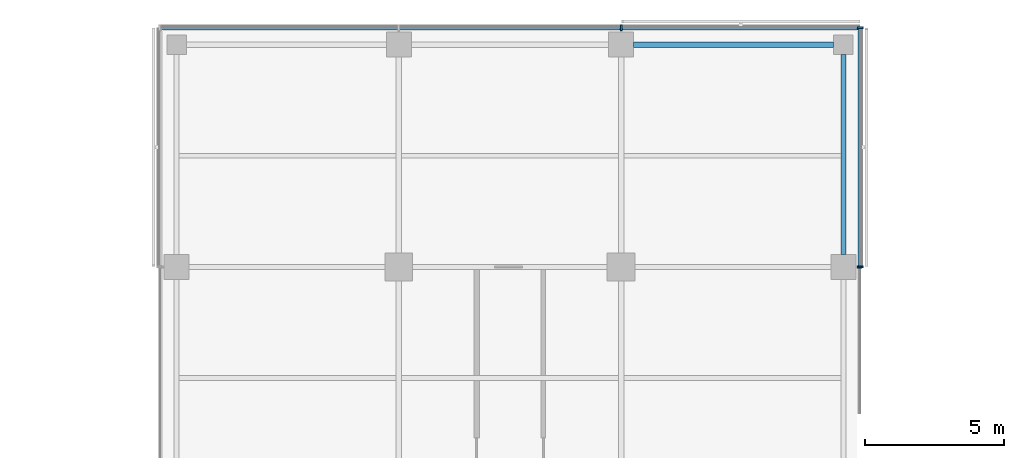
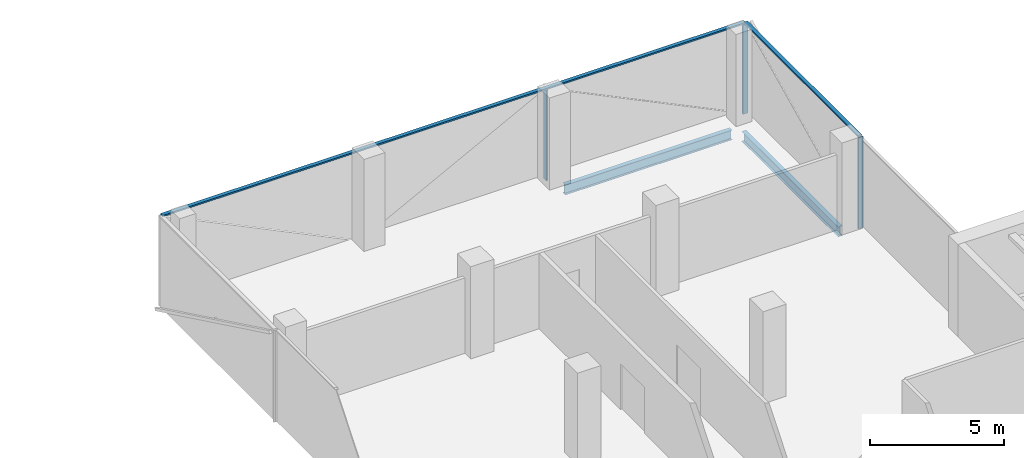
# One storey, part 10 of 22: 6 members, 2 beams, 3 elements without a shape of their own.
"""IFC4 building model written with IfcOpenShell, lengths in metres."""

from ifc_helpers import new_model, si_unit, direction, frame, origin, origin_2d, place, context, subcontext, project, spatial, rectangle, i_section, extrude, material, material_profile, profile_set, type_object, element, aggregate, save


model = new_model("IFC4")

# Units and contexts
model_context = context("Model", 3, precision=1e-05, world=origin(), true_north=direction((0.0, 1.0)))
body_context = subcontext(model_context, "Body", "Model", "MODEL_VIEW")
ifc_project = project(units=[si_unit("LENGTHUNIT", "METRE"), si_unit("AREAUNIT", "SQUARE_METRE"), si_unit("VOLUMEUNIT", "CUBIC_METRE"), si_unit("PLANEANGLEUNIT", "RADIAN"), si_unit("MASSUNIT", "GRAM", prefix="KILO")], contexts=[model_context])

# Site, building, storey
site_placement = place(None, origin())
site = spatial("IfcSite", under=ifc_project, at=site_placement, CompositionType="ELEMENT")
building_placement = place(site_placement, origin())
building = spatial("IfcBuilding", under=site, at=building_placement, Name="Crosswind Convention Tower", CompositionType="ELEMENT")
storey_placement = place(building_placement, frame((0.0, 0.0, 125.300048828125)))
storey = spatial("IfcBuildingStorey", under=building, at=storey_placement, Name="L25", CompositionType="ELEMENT", Elevation=125.300048828125)

# Beams
ifc_material_1 = material(Name="Steel S355", Category="steel")
ifc_material_profile_1 = material_profile(ifc_material_1, i_section(OverallWidth=0.18994140625, OverallDepth=0.45361328125, WebThickness=0.008544921875, FlangeThickness=0.0126953125, FilletRadius=0.01025390625, at=origin_2d()), Name="UB 457x191x67")
ifc_profile_set_1 = profile_set([ifc_material_profile_1], Name="Steel S355")
beam_type = type_object("IfcBeamType", Name="Edge beam UB 457x191x67", PredefinedType="SPANDREL", material=ifc_profile_set_1)
for number, where, z_axis, x_axis, name in (
    (1, (129.449951171875, 128.0, -0.52685546875), (1.0, 0.0, 0.0), (0.0, 1.0, 0.0), "B16 L25 edge beam 15"),
    (2, (137.0, 120.449951171875, -0.52685546875), (0.0, 1.0, 0.0), (-1.0, 0.0, 0.0), "B16 L25 edge beam 19"),
):
    element("IfcBeam", number, at=place(storey_placement, frame(where, z_axis=z_axis, x_axis=x_axis)), inside=storey, type_object=beam_type, Name=name, PredefinedType="SPANDREL", context=body_context, shape_type="SweptSolid", body=[
        extrude(i_section(OverallWidth=0.18994140625, OverallDepth=0.45361328125, WebThickness=0.008544921875, FlangeThickness=0.0126953125, FilletRadius=0.01025390625, at=origin_2d()), origin(), (0.0, 0.0, 1.0), 7.199951171875),
    ])

# Curtain wall, member
ifc_material_2 = material(Name="Aluminium unitised curtain wall", Category="aluminium")
curtain_wall_type_1 = type_object("IfcCurtainWallType", Name="CORE END SLOT WALL 160", PredefinedType="USERDEFINED", material=ifc_material_2)
curtain_wall_1_placement = place(storey_placement, origin())
curtain_wall_1 = element("IfcCurtainWall", 3, at=curtain_wall_1_placement, inside=storey, type_object=curtain_wall_type_1, Name="CW6 L25 N-E.1-1 slot", ObjectType="UNITISED", PredefinedType="USERDEFINED")
ifc_material_3 = material(Name="Aluminium mullion", Category="aluminium")
ifc_material_profile_2 = material_profile(ifc_material_3, rectangle(XDim=0.159912109375, YDim=0.050048828125, at=origin_2d()), Name="AL 160X50")
ifc_profile_set_2 = profile_set([ifc_material_profile_2], Name="Aluminium mullion")
member_type_1 = type_object("IfcMemberType", Name="MULLION 50X160", PredefinedType="MULLION", material=ifc_profile_set_2)
member_1_placement = place(storey_placement, frame((137.580078125, 119.97509765625, -0.300048828125), z_axis=(0.0, 0.0, 1.0), x_axis=(1.0, 0.0, 0.0)))
member_1 = element("IfcMember", 4, at=member_1_placement, type_object=member_type_1, Name="CW6 mullion 2", PredefinedType="MULLION", context=body_context, shape_type="SweptSolid", body=[
    extrude(rectangle(XDim=0.159912109375, YDim=0.050048828125, at=origin_2d()), origin(), (0.0, 0.0, 1.0), 4.14990234375),
])
aggregate(curtain_wall_1, [member_1])

# Curtain wall, members
curtain_wall_type_2 = type_object("IfcCurtainWallType", Name="OFFICE UNITISED WALL 220", PredefinedType="USERDEFINED", material=ifc_material_2)
curtain_wall_2_placement = place(storey_placement, origin())
curtain_wall_2 = element("IfcCurtainWall", 5, at=curtain_wall_2_placement, inside=storey, type_object=curtain_wall_type_2, Name="CW3 L25 N-E 1", ObjectType="UNITISED", PredefinedType="USERDEFINED")
ifc_material_profile_3 = material_profile(ifc_material_3, rectangle(XDim=0.219970703125, YDim=0.070068359375, at=origin_2d()), Name="AL 220X70")
ifc_profile_set_3 = profile_set([ifc_material_profile_3], Name="Aluminium mullion")
member_type_2 = type_object("IfcMemberType", Name="MULLION 70X220", PredefinedType="MULLION", material=ifc_profile_set_3)
member_2_placement = place(storey_placement, frame((137.610107421875, 120.0, -0.300048828125), z_axis=(0.0, 0.0, 1.0), x_axis=(1.0, 0.0, 0.0)))
member_2 = element("IfcMember", 6, at=member_2_placement, type_object=member_type_2, Name="CW3 mullion 1", PredefinedType="MULLION", context=body_context, shape_type="SweptSolid", body=[
    extrude(rectangle(XDim=0.219970703125, YDim=0.070068359375, at=origin_2d()), origin(), (0.0, 0.0, 1.0), 4.1298828125),
])
member_3_placement = place(storey_placement, frame((137.610107421875, 128.610107421875, -0.300048828125), z_axis=(0.0, 0.0, 1.0), x_axis=(1.0, 0.0, 0.0)))
member_3 = element("IfcMember", 7, at=member_3_placement, type_object=member_type_2, Name="CW3 mullion 2", PredefinedType="MULLION", context=body_context, shape_type="SweptSolid", body=[
    extrude(rectangle(XDim=0.219970703125, YDim=0.070068359375, at=origin_2d()), origin(), (0.0, 0.0, 1.0), 4.1298828125),
])

# Curtain wall, member
curtain_wall_3_placement = place(storey_placement, origin())
curtain_wall_3 = element("IfcCurtainWall", 8, at=curtain_wall_3_placement, inside=storey, type_object=curtain_wall_type_2, Name="CW3 L25 N-TIP 1", ObjectType="UNITISED", PredefinedType="USERDEFINED")
member_4_placement = place(storey_placement, frame((129.0, 128.610107421875, -0.300048828125), z_axis=(0.0, 0.0, 1.0), x_axis=(0.0, 1.0, 0.0)))
member_4 = element("IfcMember", 9, at=member_4_placement, type_object=member_type_2, Name="CW3 mullion 2", PredefinedType="MULLION", context=body_context, shape_type="SweptSolid", body=[
    extrude(rectangle(XDim=0.219970703125, YDim=0.070068359375, at=origin_2d()), origin(), (0.0, 0.0, 1.0), 4.1298828125),
])

# Member
ifc_material_4 = material(Name="Aluminium transom", Category="aluminium")
ifc_material_profile_4 = material_profile(ifc_material_4, rectangle(XDim=0.159912109375, YDim=0.070068359375, at=origin_2d()), Name="AL 160X70")
ifc_profile_set_4 = profile_set([ifc_material_profile_4], Name="Aluminium transom")
member_type_3 = type_object("IfcMemberType", Name="TRANSOM 70X160", PredefinedType="USERDEFINED", material=ifc_profile_set_4)
member_5_placement = place(storey_placement, frame((137.610107421875, 120.034912109375, 3.864990234375), z_axis=(0.0, 1.0, 0.0), x_axis=(-1.0, 0.0, 0.0)))
member_5 = element("IfcMember", 10, at=member_5_placement, type_object=member_type_3, Name="CW3 transom", ObjectType="TRANSOM", PredefinedType="USERDEFINED", context=body_context, shape_type="SweptSolid", body=[
    extrude(rectangle(XDim=0.159912109375, YDim=0.070068359375, at=origin_2d()), origin(), (0.0, 0.0, 1.0), 8.5400390625),
])

aggregate(curtain_wall_2, [member_2, member_3, member_5])

member_6_placement = place(storey_placement, frame((137.574951171875, 128.610107421875, 3.864990234375), z_axis=(-1.0, 0.0, 0.0), x_axis=(0.0, -1.0, 0.0)))
member_6 = element("IfcMember", 11, at=member_6_placement, type_object=member_type_3, Name="CW3 transom", ObjectType="TRANSOM", PredefinedType="USERDEFINED", context=body_context, shape_type="SweptSolid", body=[
    extrude(rectangle(XDim=0.159912109375, YDim=0.070068359375, at=origin_2d()), origin(), (0.0, 0.0, 1.0), 25.14990234375),
])

aggregate(curtain_wall_3, [member_4, member_6])

save(model, "model.ifc")
